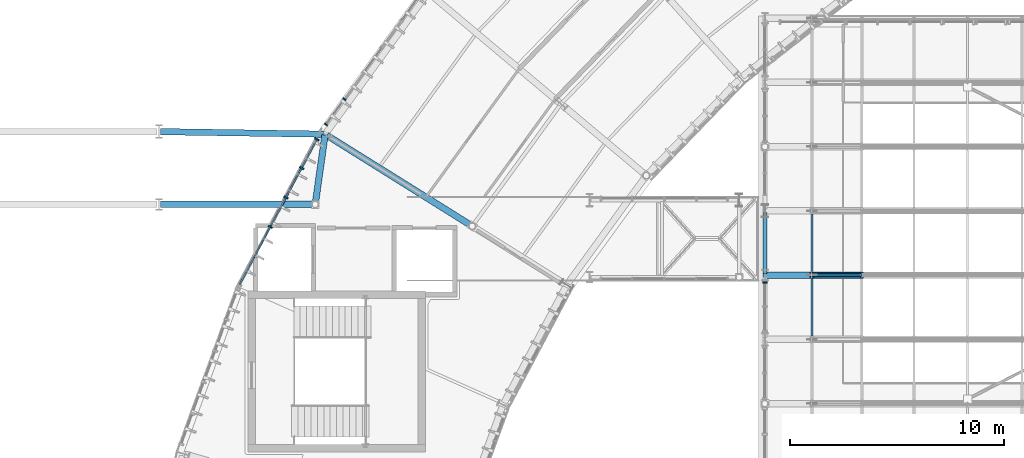
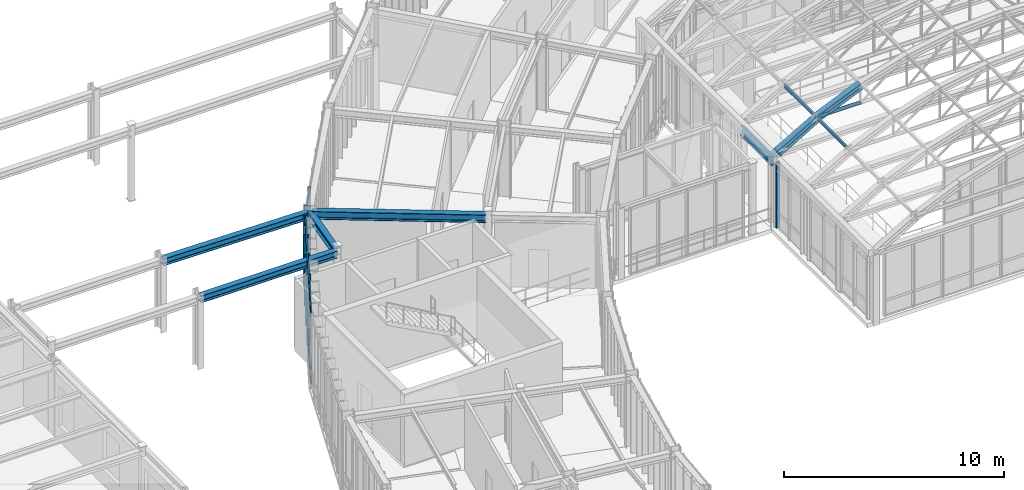
# One storey, part 24 of 148: 11 members, 9 beams, 3 elements without a shape of their own.
"""IFC4 building model written with IfcOpenShell, lengths in metres."""

from ifc_helpers import new_model, si_unit, direction, frame, origin, origin_2d, place, context, subcontext, project, spatial, rectangle, hollow_circle, i_section, extrude, material, layer, layer_set, material_profile, profile_set, type_object, element, aggregate, save


model = new_model("IFC4")

# Units and contexts
model_context = context("Model", 3, precision=1e-05, world=origin(), true_north=direction((0.0, 1.0)))
body_context = subcontext(model_context, "Body", "Model", "MODEL_VIEW")
ifc_project = project(units=[si_unit("LENGTHUNIT", "METRE"), si_unit("AREAUNIT", "SQUARE_METRE"), si_unit("VOLUMEUNIT", "CUBIC_METRE"), si_unit("PLANEANGLEUNIT", "RADIAN"), si_unit("MASSUNIT", "GRAM", prefix="KILO"), si_unit("THERMODYNAMICTEMPERATUREUNIT", "KELVIN"), si_unit("POWERUNIT", "WATT")], contexts=[model_context])

# Site, building, storey
site_placement = place(None, origin())
site = spatial("IfcSite", under=ifc_project, at=site_placement, CompositionType="ELEMENT")
building_placement = place(site_placement, origin())
building = spatial("IfcBuilding", under=site, at=building_placement, Name="Solvatero Civic Police Headquarters", CompositionType="ELEMENT")
storey_placement = place(building_placement, frame((0.0, 0.0, 5.10009765625)))
storey = spatial("IfcBuildingStorey", under=building, at=storey_placement, Name="L01", CompositionType="ELEMENT", Elevation=5.10009765625)

# Beams
ifc_material_1 = material(Name="Steel S355", Category="steel")
ifc_material_profile_1 = material_profile(ifc_material_1, i_section(OverallWidth=0.300048828125, OverallDepth=0.389892578125, WebThickness=0.010986328125, FlangeThickness=0.01904296875, FilletRadius=0.027099609375, at=origin_2d()), Name="HEA 400")
ifc_profile_set_1 = profile_set([ifc_material_profile_1], Name="Steel S355")
beam_type_1 = type_object("IfcBeamType", Name="BM-ST-HEA400", PredefinedType="BEAM", material=ifc_profile_set_1)
beam_1_placement = place(storey_placement, frame((36.580078125, 53.800048828125, 3.7548828125), z_axis=(1.0, 0.0, 0.0), x_axis=(0.0, 1.0, 0.0)))
element("IfcBeam", 1, at=beam_1_placement, inside=storey, type_object=beam_type_1, Name="Primary girder BM-R2-L01-SB1-S-2", PredefinedType="BEAM", context=body_context, shape_type="SweptSolid", body=[
    extrude(i_section(OverallWidth=0.300048828125, OverallDepth=0.389892578125, WebThickness=0.010986328125, FlangeThickness=0.01904296875, FilletRadius=0.027099609375, at=origin_2d()), origin(), (0.0, 0.0, 1.0), 7.139892578125),
])
beam_2_placement = place(storey_placement, frame((36.580078125, 57.19873046875, 3.7548828125), z_axis=(0.999880206707, -0.015478121194, 0.0), x_axis=(0.015478121194, 0.999880206707, 0.0)))
element("IfcBeam", 2, at=beam_2_placement, inside=storey, type_object=beam_type_1, Name="Primary girder BM-R2-L01-SB1-N-2", PredefinedType="BEAM", context=body_context, shape_type="SweptSolid", body=[
    extrude(i_section(OverallWidth=0.300048828125, OverallDepth=0.389892578125, WebThickness=0.010986328125, FlangeThickness=0.01904296875, FilletRadius=0.027099609375, at=origin_2d()), origin(), (0.0, 0.0, 1.0), 7.602783203125),
])
ifc_material_profile_2 = material_profile(ifc_material_1, i_section(OverallWidth=0.300048828125, OverallDepth=0.43994140625, WebThickness=0.011474609375, FlangeThickness=0.02099609375, FilletRadius=0.027099609375, at=origin_2d()), Name="HEA 450")
ifc_profile_set_2 = profile_set([ifc_material_profile_2], Name="Steel S355")
beam_type_2 = type_object("IfcBeamType", Name="BM-ST-HEA450", PredefinedType="BEAM", material=ifc_profile_set_2)
beam_3_placement = place(storey_placement, frame((51.04638671875, 52.84033203125, 3.760009765625), z_axis=(-0.848043440319, 0.529926715057, 0.0), x_axis=(-0.529926715057, -0.848043440319, 0.0)))
element("IfcBeam", 3, at=beam_3_placement, inside=storey, type_object=beam_type_2, Name="Primary girder BM-R2-L01-ARC-RAD2-S08", PredefinedType="BEAM", context=body_context, shape_type="SweptSolid", body=[
    extrude(i_section(OverallWidth=0.300048828125, OverallDepth=0.43994140625, WebThickness=0.011474609375, FlangeThickness=0.02099609375, FilletRadius=0.027099609375, at=origin_2d()), origin(), (0.0, 0.0, 1.0), 7.900146484375),
])
ifc_material_profile_3 = material_profile(ifc_material_1, i_section(OverallWidth=0.300048828125, OverallDepth=0.360107421875, WebThickness=0.012451171875, FlangeThickness=0.0224609375, FilletRadius=0.027099609375, at=origin_2d()), Name="HEB 360")
ifc_profile_set_3 = profile_set([ifc_material_profile_3], Name="Steel S355")
beam_type_3 = type_object("IfcBeamType", Name="BM-ST-HEB360", PredefinedType="BEAM", material=ifc_profile_set_3)
beam_4_placement = place(storey_placement, frame((64.800048828125, 50.5, 3.806884765625), z_axis=(0.865485501766, 0.0, 0.500933973926), x_axis=(0.0, 1.0, 0.0)))
element("IfcBeam", 4, at=beam_4_placement, inside=storey, type_object=beam_type_3, Name="VLT2 Tied-Arch Vault Top Chord F4.1", PredefinedType="BEAM", context=body_context, shape_type="SweptSolid", body=[
    extrude(i_section(OverallWidth=0.300048828125, OverallDepth=0.360107421875, WebThickness=0.012451171875, FlangeThickness=0.0224609375, FilletRadius=0.027099609375, at=origin_2d()), origin(), (0.0, 0.0, 1.0), 2.540283203125),
])
beam_5_placement = place(storey_placement, frame((66.99853515625, 50.5, 5.101806640625), z_axis=(0.917917593787, 0.0, 0.396771081377), x_axis=(0.0, 1.0, 0.0)))
element("IfcBeam", 5, at=beam_5_placement, inside=storey, type_object=beam_type_3, Name="VLT2 Tied-Arch Vault Top Chord F4.2", PredefinedType="BEAM", context=body_context, shape_type="SweptSolid", body=[
    extrude(i_section(OverallWidth=0.300048828125, OverallDepth=0.360107421875, WebThickness=0.012451171875, FlangeThickness=0.0224609375, FilletRadius=0.027099609375, at=origin_2d()), origin(), (0.0, 0.0, 1.0), 2.5400390625),
])
ifc_material_profile_4 = material_profile(ifc_material_1, i_section(OverallWidth=0.300048828125, OverallDepth=0.39990234375, WebThickness=0.013427734375, FlangeThickness=0.02392578125, FilletRadius=0.027099609375, at=origin_2d()), Name="HEB 400")
ifc_profile_set_4 = profile_set([ifc_material_profile_4], Name="Steel S355")
beam_type_4 = type_object("IfcBeamType", Name="BM-ST-HEB400", PredefinedType="BEAM", material=ifc_profile_set_4)
beam_6_placement = place(storey_placement, frame((43.8056640625, 53.839599609375, 3.75), z_axis=(0.139433054817, 0.990231499814, 0.0), x_axis=(-0.990231499814, 0.139433054817, 0.0)))
element("IfcBeam", 6, at=beam_6_placement, inside=storey, type_object=beam_type_4, Name="Primary girder BM-R2-L01-SB1-SEAT-E", PredefinedType="BEAM", context=body_context, shape_type="SweptSolid", body=[
    extrude(i_section(OverallWidth=0.300048828125, OverallDepth=0.39990234375, WebThickness=0.013427734375, FlangeThickness=0.02392578125, FilletRadius=0.027099609375, at=origin_2d()), origin(), (0.0, 0.0, 1.0), 3.232177734375),
])
ifc_material_profile_5 = material_profile(ifc_material_1, i_section(OverallWidth=0.091064453125, OverallDepth=0.179931640625, WebThickness=0.00537109375, FlangeThickness=0.008056640625, FilletRadius=0.009033203125, at=origin_2d()), Name="IPE 180")
ifc_profile_set_5 = profile_set([ifc_material_profile_5], Name="Steel S355")
beam_type_5 = type_object("IfcBeamType", Name="BM-ST-IPE180", PredefinedType="JOIST", material=ifc_profile_set_5)
for number, where, z_axis, x_axis, name in (
    (7, (66.99853515625, 47.657958984375, 5.172119140625), (0.0, 1.0, 0.0), (-1.0, 0.0, 0.0), "VLT2 Vault Roof Purlin B3.1"),
    (8, (66.99853515625, 50.657958984375, 5.172119140625), (0.0, 1.0, 0.0), (-1.0, 0.0, 0.0), "VLT2 Vault Roof Purlin B4.1"),
):
    element("IfcBeam", number, at=place(storey_placement, frame(where, z_axis=z_axis, x_axis=x_axis)), inside=storey, type_object=beam_type_5, Name=name, PredefinedType="JOIST", context=body_context, shape_type="SweptSolid", body=[
        extrude(i_section(OverallWidth=0.091064453125, OverallDepth=0.179931640625, WebThickness=0.00537109375, FlangeThickness=0.008056640625, FilletRadius=0.009033203125, at=origin_2d()), origin(), (0.0, 0.0, 1.0), 2.68408203125),
    ])
ifc_material_profile_6 = material_profile(ifc_material_1, i_section(OverallWidth=0.199951171875, OverallDepth=0.5, WebThickness=0.01025390625, FlangeThickness=0.01611328125, FilletRadius=0.02099609375, at=origin_2d()), Name="IPE 500")
ifc_profile_set_6 = profile_set([ifc_material_profile_6], Name="Steel S355")
beam_type_6 = type_object("IfcBeamType", Name="BM-ST-IPE500", PredefinedType="BEAM", material=ifc_profile_set_6)
beam_7_placement = place(storey_placement, frame((64.800048828125, 50.580078125, 3.429931640625), z_axis=(0.0, 1.0, 0.0), x_axis=(-1.0, 0.0, 0.0)))
element("IfcBeam", 9, at=beam_7_placement, inside=storey, type_object=beam_type_6, Name="Primary girder BM-R2-VLT2-SPR-W-B4", PredefinedType="BEAM", context=body_context, shape_type="SweptSolid", body=[
    extrude(i_section(OverallWidth=0.199951171875, OverallDepth=0.5, WebThickness=0.01025390625, FlangeThickness=0.01611328125, FilletRadius=0.02099609375, at=origin_2d()), origin(), (0.0, 0.0, 1.0), 2.83984375),
])

# Curtain wall, members
ifc_material_2 = material(Name="Anodized Bronze Aluminium", Category="aluminium")
ifc_layer_1 = layer(ifc_material_2, 0.179931640625)
ifc_layer_set_1 = layer_set([ifc_layer_1], Name="Anodized Bronze Aluminium")
curtain_wall_type_1 = type_object("IfcCurtainWallType", Name="CW-ARC-OUT", PredefinedType="USERDEFINED", material=ifc_layer_set_1)
curtain_wall_1_placement = place(storey_placement, origin())
curtain_wall_1 = element("IfcCurtainWall", 10, at=curtain_wall_1_placement, inside=storey, type_object=curtain_wall_type_1, Name="Curtain Wall CW-R2-L01-ARC-OUT-B08", ObjectType="UNITISED", PredefinedType="USERDEFINED")
ifc_material_profile_7 = material_profile(ifc_material_2, rectangle(XDim=0.06005859375, YDim=0.159912109375, at=origin_2d()), Name="ALU MULLION 60x160")
ifc_profile_set_7 = profile_set([ifc_material_profile_7], Name="Anodized Bronze Aluminium")
member_type_1 = type_object("IfcMemberType", Name="CWM-180x70", PredefinedType="MULLION", material=ifc_profile_set_7)
member_1_placement = place(storey_placement, frame((45.16748046875, 58.71630859375, 0.0), z_axis=(0.0, 0.0, 1.0), x_axis=(-0.587785252292, -0.809016994375, 0.0)))
member_1 = element("IfcMember", 11, at=member_1_placement, type_object=member_type_1, Name="CW-R2-L01-ARC-OUT-B08 Mullion 5", PredefinedType="MULLION", context=body_context, shape_type="SweptSolid", body=[
    extrude(rectangle(XDim=0.06005859375, YDim=0.159912109375, at=origin_2d()), origin(), (0.0, 0.0, 1.0), 3.93994140625),
])
member_2_placement = place(storey_placement, frame((44.3056640625, 57.530029296875, 0.0), z_axis=(0.0, 0.0, 1.0), x_axis=(-0.587785252292, -0.809016994375, 0.0)))
member_2 = element("IfcMember", 12, at=member_2_placement, type_object=member_type_1, Name="CW-R2-L01-ARC-OUT-B08 Mullion 6", PredefinedType="MULLION", context=body_context, shape_type="SweptSolid", body=[
    extrude(rectangle(XDim=0.06005859375, YDim=0.159912109375, at=origin_2d()), origin(), (0.0, 0.0, 1.0), 3.93994140625),
])
aggregate(curtain_wall_1, [member_1, member_2])

# Curtain wall, member
ifc_layer_2 = layer(ifc_material_2, 0.179931640625)
ifc_layer_set_2 = layer_set([ifc_layer_2], Name="Anodized Bronze Aluminium")
curtain_wall_type_2 = type_object("IfcCurtainWallType", Name="CW-HAL-GLZ", PredefinedType="USERDEFINED", material=ifc_layer_set_2)
curtain_wall_2_placement = place(storey_placement, origin())
curtain_wall_2 = element("IfcCurtainWall", 13, at=curtain_wall_2_placement, inside=storey, type_object=curtain_wall_type_2, Name="Curtain Wall CW-R2-L01-V2-W-B3", ObjectType="UNITISED", PredefinedType="USERDEFINED")
ifc_material_profile_8 = material_profile(ifc_material_2, rectangle(XDim=0.070068359375, YDim=0.199951171875, at=origin_2d()), Name="ALU MULLION 70x200")
ifc_profile_set_8 = profile_set([ifc_material_profile_8], Name="Anodized Bronze Aluminium")
member_type_2 = type_object("IfcMemberType", Name="CWM-220x80", PredefinedType="MULLION", material=ifc_profile_set_8)
member_3_placement = place(storey_placement, frame((64.800048828125, 50.157958984375, 0.0), z_axis=(0.0, 0.0, 1.0), x_axis=(0.0, 1.0, 0.0)))
member_3 = element("IfcMember", 14, at=member_3_placement, type_object=member_type_2, Name="CW-R2-L01-V2-W-B3 Mullion 3", PredefinedType="MULLION", context=body_context, shape_type="SweptSolid", body=[
    extrude(rectangle(XDim=0.070068359375, YDim=0.199951171875, at=origin_2d()), origin(), (0.0, 0.0, 1.0), 3.659912109375),
])
aggregate(curtain_wall_2, [member_3])

# Curtain wall, members
curtain_wall_3_placement = place(storey_placement, origin())
curtain_wall_3 = element("IfcCurtainWall", 15, at=curtain_wall_3_placement, inside=storey, type_object=curtain_wall_type_1, Name="Curtain Wall CW-R2-L01-ARC-OUT-B09", ObjectType="UNITISED", PredefinedType="USERDEFINED")
ifc_material_profile_9 = material_profile(ifc_material_2, rectangle(XDim=0.074951171875, YDim=0.219970703125, at=origin_2d()), Name="ALU MULLION 75x220")
ifc_profile_set_9 = profile_set([ifc_material_profile_9], Name="Anodized Bronze Aluminium")
member_type_3 = type_object("IfcMemberType", Name="CWM-250x85", PredefinedType="MULLION", material=ifc_profile_set_9)
member_4_placement = place(storey_placement, frame((43.876220703125, 56.84326171875, 0.0), z_axis=(0.0, 0.0, 1.0), x_axis=(-0.469471562786, -0.882947592859, 0.0)))
member_4 = element("IfcMember", 16, at=member_4_placement, type_object=member_type_3, Name="CW-R2-L01-ARC-OUT-B09 Mullion 1", PredefinedType="MULLION", context=body_context, shape_type="SweptSolid", body=[
    extrude(rectangle(XDim=0.074951171875, YDim=0.219970703125, at=origin_2d()), origin(), (0.0, 0.0, 1.0), 3.93994140625),
])
member_5_placement = place(storey_placement, frame((43.163818359375, 55.503173828125, 0.0), z_axis=(0.0, 0.0, 1.0), x_axis=(-0.469471562786, -0.882947592859, 0.0)))
member_5 = element("IfcMember", 17, at=member_5_placement, type_object=member_type_3, Name="CW-R2-L01-ARC-OUT-B09 Mullion 2", PredefinedType="MULLION", context=body_context, shape_type="SweptSolid", body=[
    extrude(rectangle(XDim=0.074951171875, YDim=0.219970703125, at=origin_2d()), origin(), (0.0, 0.0, 1.0), 3.93994140625),
])
member_6_placement = place(storey_placement, frame((42.4326171875, 54.127685546875, 0.0), z_axis=(0.0, 0.0, 1.0), x_axis=(-0.469471562786, -0.882947592859, 0.0)))
member_6 = element("IfcMember", 18, at=member_6_placement, type_object=member_type_3, Name="CW-R2-L01-ARC-OUT-B09 Mullion 3", PredefinedType="MULLION", context=body_context, shape_type="SweptSolid", body=[
    extrude(rectangle(XDim=0.074951171875, YDim=0.219970703125, at=origin_2d()), origin(), (0.0, 0.0, 1.0), 3.93994140625),
])
member_7_placement = place(storey_placement, frame((41.701171875, 52.75244140625, 0.0), z_axis=(0.0, 0.0, 1.0), x_axis=(-0.469471562786, -0.882947592859, 0.0)))
member_7 = element("IfcMember", 19, at=member_7_placement, type_object=member_type_3, Name="CW-R2-L01-ARC-OUT-B09 Mullion 4", PredefinedType="MULLION", context=body_context, shape_type="SweptSolid", body=[
    extrude(rectangle(XDim=0.074951171875, YDim=0.219970703125, at=origin_2d()), origin(), (0.0, 0.0, 1.0), 3.93994140625),
])
ifc_material_profile_10 = material_profile(ifc_material_2, rectangle(XDim=0.070068359375, YDim=0.159912109375, at=origin_2d()), Name="ALU TRANSOM 70x160")
ifc_profile_set_10 = profile_set([ifc_material_profile_10], Name="Anodized Bronze Aluminium")
member_type_4 = type_object("IfcMemberType", Name="CWT-120x55", PredefinedType="USERDEFINED", material=ifc_profile_set_10)
member_8_placement = place(storey_placement, frame((43.87158203125, 56.83447265625, 0.039794921875), z_axis=(-0.469453925502, -0.882956970543, 0.0), x_axis=(0.882956970543, -0.469453925502, 0.0)))
member_8 = element("IfcMember", 20, at=member_8_placement, type_object=member_type_4, Name="CW-R2-L01-ARC-OUT-B09 Transom 1", ObjectType="TRANSOM", PredefinedType="USERDEFINED", context=body_context, shape_type="SweptSolid", body=[
    extrude(rectangle(XDim=0.070068359375, YDim=0.159912109375, at=origin_2d()), origin(), (0.0, 0.0, 1.0), 7.6884765625),
])
member_9_placement = place(storey_placement, frame((43.87158203125, 56.83447265625, 0.849853515625), z_axis=(-0.469453925502, -0.882956970543, 0.0), x_axis=(0.882956970543, -0.469453925502, 0.0)))
member_9 = element("IfcMember", 21, at=member_9_placement, type_object=member_type_4, Name="CW-R2-L01-ARC-OUT-B09 Transom 2", ObjectType="TRANSOM", PredefinedType="USERDEFINED", context=body_context, shape_type="SweptSolid", body=[
    extrude(rectangle(XDim=0.070068359375, YDim=0.159912109375, at=origin_2d()), origin(), (0.0, 0.0, 1.0), 7.6884765625),
])
member_10_placement = place(storey_placement, frame((43.87158203125, 56.83447265625, 3.89990234375), z_axis=(-0.469453925502, -0.882956970543, 0.0), x_axis=(0.882956970543, -0.469453925502, 0.0)))
member_10 = element("IfcMember", 22, at=member_10_placement, type_object=member_type_4, Name="CW-R2-L01-ARC-OUT-B09 Transom 3", ObjectType="TRANSOM", PredefinedType="USERDEFINED", context=body_context, shape_type="SweptSolid", body=[
    extrude(rectangle(XDim=0.070068359375, YDim=0.159912109375, at=origin_2d()), origin(), (0.0, 0.0, 1.0), 7.6884765625),
])
aggregate(curtain_wall_3, [member_4, member_5, member_6, member_7, member_8, member_9, member_10])

# Member
ifc_material_profile_11 = material_profile(ifc_material_1, hollow_circle(Radius=0.096923828125, WallThickness=0.010009765625, at=origin_2d()), Name="CHS 193.7x10.0")
ifc_profile_set_11 = profile_set([ifc_material_profile_11], Name="Steel S355")
member_type_5 = type_object("IfcMemberType", Name="MB-TIE-CHS194", PredefinedType="CHORD", material=ifc_profile_set_11)
member_11_placement = place(storey_placement, frame((66.99853515625, 50.5, 5.13623046875), z_axis=(1.0, 0.0, 0.0), x_axis=(0.0, 1.0, 0.0)))
element("IfcMember", 23, at=member_11_placement, inside=storey, type_object=member_type_5, Name="VLT2 Vault Horizontal Tie Chord F4.1", PredefinedType="CHORD", context=body_context, shape_type="SweptSolid", body=[
    extrude(hollow_circle(Radius=0.096923828125, WallThickness=0.010009765625, at=origin_2d()), origin(), (0.0, 0.0, 1.0), 2.33154296875),
])

save(model, "model.ifc")
